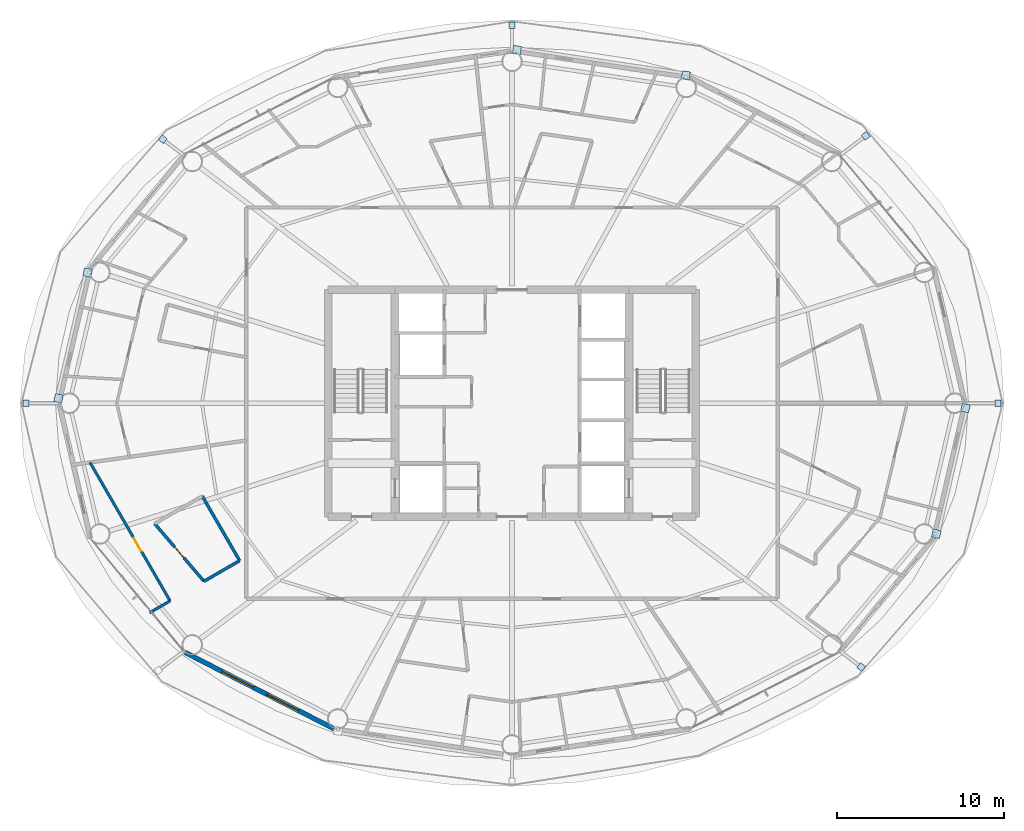
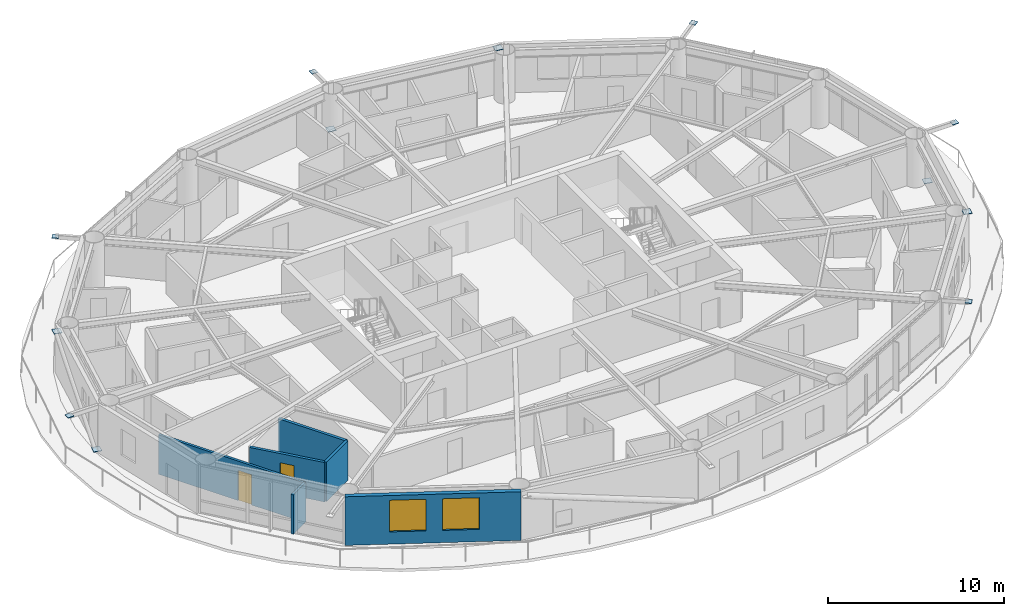
# One storey, part 19 of 28: 12 plates, 6 walls, 2 doors, 2 windows, 4 openings.
"""IFC4 building model written with IfcOpenShell, lengths in metres."""

import ifcopenshell
import ifcopenshell.guid

model = None  # the IFC model being written
_history = None  # IfcOwnerHistory: only IFC2X3 demands one
_inside = {}  # id of a spatial element -> (the spatial element, [elements in it])
_under = {}  # id of a project, library or spatial element -> (it, [spatial elements below it])
_declared = {}  # id of a project -> (the project, [libraries it declares])
_typed = {}  # id of a type object -> (the type object, [elements of that type])
_made_of = {}  # id of a material, layer set ... -> (it, [elements and type objects made of it])


def new_model(schema):
    """Start an empty IFC model of exactly this schema.

    Asked for "IFC4X3", IfcOpenShell would pick the latest addendum, in which some entities
    have other attributes; the version numbers below select the first issue.
    IFC2X3 requires an IfcOwnerHistory on every rooted entity: one is made here for all.
    """
    global model, _history
    if schema == "IFC4X3":
        model = ifcopenshell.file(schema_version=(4, 3, 0, 0))
    else:
        model = ifcopenshell.file(schema=schema)
    _inside.clear()
    _under.clear()
    _declared.clear()
    _typed.clear()
    _made_of.clear()
    _history = None
    if model.schema == "IFC2X3":
        org = make("IfcOrganization", Name="unknown")
        user = make(
            "IfcPersonAndOrganization",
            ThePerson=make("IfcPerson", FamilyName="unknown"),
            TheOrganization=org,
        )
        app = make(
            "IfcApplication",
            ApplicationDeveloper=org,
            Version="unknown",
            ApplicationFullName="unknown",
            ApplicationIdentifier="unknown",
        )
        _history = make(
            "IfcOwnerHistory",
            OwningUser=user,
            OwningApplication=app,
            ChangeAction="ADDED",
            CreationDate=0,
        )
    return model


def make(cls, **values):
    """One entity of the class cls with the attributes given. An attribute that is None is left unset."""
    return model.create_entity(
        cls, **{name: value for name, value in values.items() if value is not None}
    )


def rooted(cls, **values):
    """An entity with a GlobalId (a new one), such as an element, a storey or a relation."""
    return make(cls, GlobalId=ifcopenshell.guid.new(), OwnerHistory=_history, **values)


def si_unit(unit_type, name, prefix=None):
    """IfcSIUnit, for example si_unit("LENGTHUNIT", "METRE", prefix="MILLI")."""
    return make("IfcSIUnit", UnitType=unit_type, Prefix=prefix, Name=name)


def assignment(units):
    """IfcUnitAssignment: the units of a project."""
    return None if units is None else make("IfcUnitAssignment", Units=units)


def point(xyz):
    """IfcCartesianPoint."""
    return None if xyz is None else make("IfcCartesianPoint", Coordinates=xyz)


def direction(xyz):
    """IfcDirection."""
    return None if xyz is None else make("IfcDirection", DirectionRatios=xyz)


def frame(location, z_axis=None, x_axis=None):
    """IfcAxis2Placement3D, a coordinate frame: its origin and axes. An axis left out is left unset."""
    return make(
        "IfcAxis2Placement3D",
        Location=point(location),
        Axis=direction(z_axis),
        RefDirection=direction(x_axis),
    )


def frame_2d(location, x_axis=None):
    """IfcAxis2Placement2D, a coordinate frame in the plane: its origin and x axis."""
    return make(
        "IfcAxis2Placement2D", Location=point(location), RefDirection=direction(x_axis)
    )


def origin():
    """The frame at (0, 0, 0) with its axes left unset."""
    return frame((0.0, 0.0, 0.0))


def origin_2d():
    """The frame at (0, 0) in the plane with its x axis left unset."""
    return frame_2d((0.0, 0.0))


def place(relative_to, where):
    """IfcLocalPlacement: puts the frame where relative to a parent placement (None: the world)."""
    return make(
        "IfcLocalPlacement", PlacementRelTo=relative_to, RelativePlacement=where
    )


def context(
    kind, dimensions, precision=None, world=None, true_north=None, identifier=None
):
    """IfcGeometricRepresentationContext, for example the 3D "Model" context."""
    return make(
        "IfcGeometricRepresentationContext",
        ContextIdentifier=identifier,
        ContextType=kind,
        CoordinateSpaceDimension=dimensions,
        Precision=precision,
        WorldCoordinateSystem=world,
        TrueNorth=true_north,
    )


def subcontext(parent, identifier, kind, view, scale=None):
    """IfcGeometricRepresentationSubContext, for example "Body" below "Model"."""
    return make(
        "IfcGeometricRepresentationSubContext",
        ContextIdentifier=identifier,
        ContextType=kind,
        ParentContext=parent,
        TargetScale=scale,
        TargetView=view,
    )


def project(units=None, contexts=None):
    """IfcProject with its units and contexts."""
    return rooted(
        "IfcProject",
        Name="project",
        RepresentationContexts=contexts,
        UnitsInContext=assignment(units),
    )


def spatial(cls, under=None, at=None, **own):
    """A site, building, storey or space (cls), placed at a placement, below another one or the project."""
    s = rooted(cls, ObjectPlacement=at, **own)
    if under is not None:
        _under.setdefault(under.id(), (under, []))[1].append(s)
    return s


def profile(cls, at=None, kind="AREA", **sizes):
    """A parametric profile (cls). Its sizes go by their IFC names, for example OverallWidth=200.0."""
    return make(cls, ProfileType=kind, Position=at, **sizes)


def rectangle(**sizes):
    """IfcRectangleProfileDef."""
    return profile("IfcRectangleProfileDef", **sizes)


def extrude(swept, where, along, depth):
    """IfcExtrudedAreaSolid: the profile swept, set in the frame where, extruded along a direction by depth."""
    return make(
        "IfcExtrudedAreaSolid",
        SweptArea=swept,
        Position=where,
        ExtrudedDirection=direction(along),
        Depth=depth,
    )


def shape(context_of_items, identifier, shape_type, items):
    """IfcShapeRepresentation: the items that make up one representation, for example the "Body"."""
    return make(
        "IfcShapeRepresentation",
        ContextOfItems=context_of_items,
        RepresentationIdentifier=identifier,
        RepresentationType=shape_type,
        Items=items,
    )


def material(Name=None, Category=None):
    """IfcMaterial."""
    return make("IfcMaterial", Name=Name, Category=Category)


def layer(
    of_material, thickness, ventilated=None, Name=None, Category=None, Priority=None
):
    """IfcMaterialLayer: one layer of a wall or slab, of a material (None: an air gap)."""
    return make(
        "IfcMaterialLayer",
        Material=of_material,
        LayerThickness=thickness,
        IsVentilated=ventilated,
        Name=Name,
        Category=Category,
        Priority=Priority,
    )


def layer_set(layers, Name=None):
    """IfcMaterialLayerSet."""
    return make("IfcMaterialLayerSet", MaterialLayers=layers, LayerSetName=Name)


def made_of(thing, what):
    """Note that an element or type object is made of a material, layer set ...; save() writes the relation."""
    if what is not None:
        _made_of.setdefault(what.id(), (what, []))[1].append(thing)
    return thing


def type_object(cls, material=None, **own):
    """A type object (cls), such as IfcWallType, which elements share."""
    return made_of(rooted(cls, **own), material)


def element(
    cls,
    number,
    at=None,
    inside=None,
    cuts=None,
    type_object=None,
    material=None,
    context=None,
    identifier="Body",
    shape_type=None,
    held_by="IfcProductDefinitionShape",
    body=None,
    shapes=None,
    **own,
):
    """One element of the class cls, such as IfcWall. Its Tag is "e" and its number.

    at: its placement. inside: the storey or other place that contains it. cuts: it is an
    opening in that element (IfcRelVoidsElement). A single representation is given by context,
    identifier, shape_type and body (its items); several are given by shapes. held_by: the class
    of the entity that holds the representations. save() writes the other relations.
    """
    e = rooted(cls, Tag="e%d" % number, ObjectPlacement=at, **own)
    if body is not None:
        shapes = [shape(context, identifier, shape_type, body)]
    if shapes is not None:
        e.Representation = make(held_by, Representations=shapes)
    if inside is not None:
        _inside.setdefault(inside.id(), (inside, []))[1].append(e)
    if cuts is not None:
        rooted(
            "IfcRelVoidsElement", RelatingBuildingElement=cuts, RelatedOpeningElement=e
        )
    if type_object is not None:
        _typed.setdefault(type_object.id(), (type_object, []))[1].append(e)
    return made_of(e, material)


def fill(opening, filler):
    """IfcRelFillsElement: the door or window that sits in an opening."""
    return rooted(
        "IfcRelFillsElement",
        RelatingOpeningElement=opening,
        RelatedBuildingElement=filler,
    )


def aggregate(whole, parts):
    """IfcRelAggregates: a whole, such as a stair, and the parts it consists of."""
    return rooted("IfcRelAggregates", RelatingObject=whole, RelatedObjects=parts)


def save(model, path):
    """Write the relations noted so far, then the file.

    IfcRelAggregates (storeys below a building ...), IfcRelContainedInSpatialStructure (elements
    in a storey), IfcRelDefinesByType, IfcRelAssociatesMaterial and IfcRelDeclares: one each for
    every whole, place, type object, material and project.
    """
    for whole, parts in _under.values():
        aggregate(whole, parts)
    for where, things in _inside.values():
        rooted(
            "IfcRelContainedInSpatialStructure",
            RelatedElements=things,
            RelatingStructure=where,
        )
    for kind, things in _typed.values():
        rooted("IfcRelDefinesByType", RelatedObjects=things, RelatingType=kind)
    for what, things in _made_of.values():
        rooted("IfcRelAssociatesMaterial", RelatedObjects=things, RelatingMaterial=what)
    for by, libraries in _declared.values():
        rooted("IfcRelDeclares", RelatingContext=by, RelatedDefinitions=libraries)
    model.write(path)


model = new_model("IFC4")

# Units and contexts
model_context = context("Model", 3, precision=1e-05, world=origin(), true_north=direction((0.0, 1.0)))
body_context = subcontext(model_context, "Body", "Model", "MODEL_VIEW")
ifc_project = project(units=[si_unit("LENGTHUNIT", "METRE"), si_unit("AREAUNIT", "SQUARE_METRE"), si_unit("VOLUMEUNIT", "CUBIC_METRE"), si_unit("PLANEANGLEUNIT", "RADIAN"), si_unit("MASSUNIT", "GRAM", prefix="KILO")], contexts=[model_context])

# Site, building, storey
site_placement = place(None, origin())
site = spatial("IfcSite", under=ifc_project, at=site_placement, CompositionType="ELEMENT")
building_placement = place(site_placement, origin())
building = spatial("IfcBuilding", under=site, at=building_placement, Name="Sarneth Arch Tower", CompositionType="ELEMENT")
storey_placement = place(building_placement, frame((0.0, 0.0, 179.39990234375)))
storey = spatial("IfcBuildingStorey", under=building, at=storey_placement, Name="L45", CompositionType="ELEMENT", Elevation=179.39990234375)

# Plates
ifc_material_1 = material(Name="Steel S355", Category="steel")
ifc_layer_1 = layer(ifc_material_1, 0.035888671875)
ifc_layer_set_1 = layer_set([ifc_layer_1], Name="Steel S355")
plate_type = type_object("IfcPlateType", Name="PLT-GUSSET-30", PredefinedType="SHEET", material=ifc_layer_set_1)
for number, where, z_axis, x_axis, name in (
    (1, (77.07861328125, 42.0, 3.2021484375), (0.0, 0.0, 1.0), (1.0, 0.0, 0.0), "Steel end cap plate GP-1"),
    (2, (69.16357421875, 57.994384765625, 3.2021484375), (0.0, 0.0, 1.0), (0.797794439539, 0.602929541689, 0.0), "Steel end cap plate GP-1"),
):
    element("IfcPlate", number, at=place(storey_placement, frame(where, z_axis=z_axis, x_axis=x_axis)), inside=storey, type_object=plate_type, Name=name, PredefinedType="SHEET", context=body_context, shape_type="SweptSolid", body=[
        extrude(rectangle(XDim=0.3798828125, YDim=0.3798828125, at=origin_2d()), origin(), (0.0, 0.0, 1.0), 0.035888671875),
    ])
for number, where, z_axis, x_axis, name in (
    (3, (48.296630859375, 63.13525390625, 0.001953125), (0.0, 0.0, 1.0), (-0.98883454203, 0.149017611339, 0.0), "Steel end cap plate GP-1"),
    (4, (58.404296875, 61.612548828125, 3.03271484375), (0.0, 0.0, 1.0), (-0.98883454203, 0.149017611339, 0.0), "Steel end cap plate GP-1"),
):
    element("IfcPlate", number, at=place(storey_placement, frame(where, z_axis=z_axis, x_axis=x_axis)), inside=storey, type_object=plate_type, Name=name, PredefinedType="SHEET", context=body_context, shape_type="SweptSolid", body=[
        extrude(rectangle(XDim=0.486083984375, YDim=0.486083984375, at=origin_2d()), origin(), (0.0, 0.0, 1.0), 0.035888671875),
    ])
for number, where, z_axis, x_axis, name in (
    (5, (48.0, 64.6083984375, 3.2021484375), (0.0, 0.0, 1.0), (0.0, 1.0, 0.0), "Steel end cap plate GP-1"),
    (6, (27.1064453125, 57.790283203125, 3.2021484375), (0.0, 0.0, 1.0), (-0.797794439539, 0.602929541689, 0.0), "Steel end cap plate GP-1"),
):
    element("IfcPlate", number, at=place(storey_placement, frame(where, z_axis=z_axis, x_axis=x_axis)), inside=storey, type_object=plate_type, Name=name, PredefinedType="SHEET", context=body_context, shape_type="SweptSolid", body=[
        extrude(rectangle(XDim=0.3798828125, YDim=0.3798828125, at=origin_2d()), origin(), (0.0, 0.0, 1.0), 0.035888671875),
    ])
for number, where, z_axis, x_axis, name in (
    (7, (20.87109375, 42.292236328125, 0.001953125), (0.0, 0.0, 1.0), (-0.225291159947, -0.974291482694, 0.0), "Steel end cap plate GP-1"),
    (8, (22.609619140625, 49.81298828125, 3.03271484375), (0.0, 0.0, 1.0), (-0.225291159947, -0.974291482694, 0.0), "Steel end cap plate GP-1"),
):
    element("IfcPlate", number, at=place(storey_placement, frame(where, z_axis=z_axis, x_axis=x_axis)), inside=storey, type_object=plate_type, Name=name, PredefinedType="SHEET", context=body_context, shape_type="SweptSolid", body=[
        extrude(rectangle(XDim=0.486083984375, YDim=0.486083984375, at=origin_2d()), origin(), (0.0, 0.0, 1.0), 0.035888671875),
    ])
for number, where, z_axis, x_axis, name in (
    (9, (18.92138671875, 42.0, 3.2021484375), (0.0, 0.0, 1.0), (-1.0, 0.0, 0.0), "Steel end cap plate GP-1"),
    (10, (68.8935546875, 26.209716796875, 3.2021484375), (0.0, 0.0, 1.0), (0.797794439539, -0.602929541689, 0.0), "Steel end cap plate GP-1"),
):
    element("IfcPlate", number, at=place(storey_placement, frame(where, z_axis=z_axis, x_axis=x_axis)), inside=storey, type_object=plate_type, Name=name, PredefinedType="SHEET", context=body_context, shape_type="SweptSolid", body=[
        extrude(rectangle(XDim=0.3798828125, YDim=0.3798828125, at=origin_2d()), origin(), (0.0, 0.0, 1.0), 0.035888671875),
    ])
for number, where, z_axis, x_axis, name in (
    (11, (75.12890625, 41.707763671875, 0.001953125), (0.0, 0.0, 1.0), (0.225291159947, 0.974291482694, 0.0), "Steel end cap plate GP-1"),
    (12, (73.390380859375, 34.18701171875, 3.03271484375), (0.0, 0.0, 1.0), (0.225291159947, 0.974291482694, 0.0), "Steel end cap plate GP-1"),
):
    element("IfcPlate", number, at=place(storey_placement, frame(where, z_axis=z_axis, x_axis=x_axis)), inside=storey, type_object=plate_type, Name=name, PredefinedType="SHEET", context=body_context, shape_type="SweptSolid", body=[
        extrude(rectangle(XDim=0.486083984375, YDim=0.486083984375, at=origin_2d()), origin(), (0.0, 0.0, 1.0), 0.035888671875),
    ])

# Wall, openings, windows
ifc_material_2 = material(Name="Extruded terracotta rainscreen on Concrete C40/50 backing", Category="masonry")
ifc_layer_2 = layer(ifc_material_2, 0.280029296875)
ifc_layer_set_2 = layer_set([ifc_layer_2], Name="Extruded terracotta rainscreen on Concrete C40/50 backing")
wall_type_1 = type_object("IfcWallType", Name="WALL-EXT-TERRA-280", PredefinedType="SOLIDWALL", material=ifc_layer_set_2)
wall_1_placement = place(storey_placement, frame((28.423828125, 27.09423828125, 0.0), z_axis=(0.0, 0.0, 1.0), x_axis=(0.889872523182, -0.456209263919, 0.0)))
wall_1 = element("IfcWall", 13, at=wall_1_placement, inside=storey, type_object=wall_type_1, Name="L45 Terracotta perimeter wall 11", PredefinedType="SOLIDWALL", context=body_context, shape_type="SweptSolid", body=[
    extrude(rectangle(XDim=10.016357421875, YDim=0.280029296875, at=frame_2d((5.00830078125, 0.0))), origin(), (0.0, 0.0, 1.0), 3.380126953125),
])
opening_1_placement = place(wall_1_placement, frame((2.515380859375, 0.0, 0.85009765625)))
opening_1 = element("IfcOpeningElement", 14, at=opening_1_placement, cuts=wall_1, Name="Opening W-03", PredefinedType="OPENING", context=body_context, shape_type="SweptSolid", body=[
    extrude(rectangle(XDim=2.10009765625, YDim=2.199951171875, at=frame_2d((1.050048828125, 1.10009765625))), frame((0.0, 0.14990234375, 0.0), z_axis=(0.0, -1.0, 0.0), x_axis=(1.0, 0.0, 0.0)), (0.0, 0.0, 1.0), 0.300048828125),
])
opening_2_placement = place(wall_1_placement, frame((5.540283203125, 0.0, 0.85009765625)))
opening_2 = element("IfcOpeningElement", 15, at=opening_2_placement, cuts=wall_1, Name="Opening W-03", PredefinedType="OPENING", context=body_context, shape_type="SweptSolid", body=[
    extrude(rectangle(XDim=2.10009765625, YDim=2.199951171875, at=frame_2d((1.050048828125, 1.10009765625))), frame((0.0, 0.14990234375, 0.0), z_axis=(0.0, -1.0, 0.0), x_axis=(1.0, 0.0, 0.0)), (0.0, 0.0, 1.0), 0.300048828125),
])
ifc_material_3 = material(Name="Thermally broken Aluminium 6063-T6 and low-e laminated IGU", Category="aluminium")
window_type = type_object("IfcWindowType", Name="WIN-TWR-2100x2200", PartitioningType="DOUBLE_PANEL_VERTICAL", PredefinedType="WINDOW", material=ifc_material_3)
window_1_placement = place(opening_1_placement, origin())
window_1 = element("IfcWindow", 16, at=window_1_placement, inside=storey, type_object=window_type, Name="L45 Exterior window 11A", OverallHeight=2.199951171875, OverallWidth=2.10009765625, PartitioningType="SINGLE_PANEL", PredefinedType="WINDOW", context=body_context, shape_type="SweptSolid", body=[
    extrude(rectangle(XDim=2.10009765625, YDim=2.199951171875, at=frame_2d((1.050048828125, 1.10009765625))), frame((0.0, 0.030029296875, 0.0), z_axis=(0.0, -1.0, 0.0), x_axis=(1.0, 0.0, 0.0)), (0.0, 0.0, 1.0), 0.06005859375),
])
fill(opening_1, window_1)
window_2_placement = place(opening_2_placement, origin())
window_2 = element("IfcWindow", 17, at=window_2_placement, inside=storey, type_object=window_type, Name="L45 Exterior window 11B", OverallHeight=2.199951171875, OverallWidth=2.10009765625, PartitioningType="SINGLE_PANEL", PredefinedType="WINDOW", context=body_context, shape_type="SweptSolid", body=[
    extrude(rectangle(XDim=2.10009765625, YDim=2.199951171875, at=frame_2d((1.050048828125, 1.10009765625))), frame((0.0, 0.030029296875, 0.0), z_axis=(0.0, -1.0, 0.0), x_axis=(1.0, 0.0, 0.0)), (0.0, 0.0, 1.0), 0.06005859375),
])
fill(opening_2, window_2)

# Wall, opening, door
ifc_material_4 = material(Name="Kitchen wet service chase wall", Category="gypsum")
ifc_layer_3 = layer(ifc_material_4, 0.159912109375)
ifc_layer_set_3 = layer_set([ifc_layer_3], Name="Kitchen wet service chase wall")
wall_type_2 = type_object("IfcWallType", Name="WALL-PLUMB-160", PredefinedType="PLUMBINGWALL", material=ifc_layer_set_3)
wall_2_placement = place(storey_placement, frame((22.75341796875, 38.451904296875, 0.0), z_axis=(0.0, 0.0, 1.0), x_axis=(0.500584533727, -0.865687659952, 0.0)))
wall_2 = element("IfcWall", 18, at=wall_2_placement, inside=storey, type_object=wall_type_2, Name="L45 Interior partition W-L45-TP-081", PredefinedType="PLUMBINGWALL", context=body_context, shape_type="SweptSolid", body=[
    extrude(rectangle(XDim=9.56689453125, YDim=0.159912109375, at=frame_2d((4.783447265625, 0.0))), origin(), (0.0, 0.0, 1.0), 2.739990234375),
])
opening_3_placement = place(wall_2_placement, frame((5.2333984375, 0.0, 0.0)))
opening_3 = element("IfcOpeningElement", 19, at=opening_3_placement, cuts=wall_2, Name="Opening ID-01", PredefinedType="OPENING", context=body_context, shape_type="SweptSolid", body=[
    extrude(rectangle(XDim=0.89990234375, YDim=2.10009765625, at=frame_2d((0.449951171875, 1.050048828125))), frame((0.0, 0.08984375, 0.0), z_axis=(0.0, -1.0, 0.0), x_axis=(1.0, 0.0, 0.0)), (0.0, 0.0, 1.0), 0.179931640625),
])
ifc_material_5 = material(Name="Engineered hardwood flush door", Category="wood")
door_type_1 = type_object("IfcDoorType", Name="DR-INT-900", OperationType="SINGLE_SWING_LEFT", PredefinedType="DOOR", material=ifc_material_5)
door_1_placement = place(opening_3_placement, origin())
door_1 = element("IfcDoor", 20, at=door_1_placement, inside=storey, type_object=door_type_1, Name="L45 Interior door DR-L45-U5-KIT", OperationType="SINGLE_SWING_LEFT", OverallHeight=2.10009765625, OverallWidth=0.89990234375, PredefinedType="DOOR", context=body_context, shape_type="SweptSolid", body=[
    extrude(rectangle(XDim=0.89990234375, YDim=2.10009765625, at=frame_2d((0.449951171875, 1.050048828125))), frame((0.0, 0.02490234375, 0.0), z_axis=(0.0, -1.0, 0.0), x_axis=(1.0, 0.0, 0.0)), (0.0, 0.0, 1.0), 0.050048828125),
])
fill(opening_3, door_1)

# Wall
wall_3_placement = place(storey_placement, frame((27.54248046875, 30.169921875, 0.0), z_axis=(0.0, 0.0, 1.0), x_axis=(-0.865626475351, -0.500690328617, 0.0)))
element("IfcWall", 21, at=wall_3_placement, inside=storey, type_object=wall_type_2, Name="L45 Interior partition W-L45-TP-082", PredefinedType="PLUMBINGWALL", context=body_context, shape_type="SweptSolid", body=[
    extrude(rectangle(XDim=1.4189453125, YDim=0.159912109375, at=frame_2d((0.70947265625, 0.0))), origin(), (0.0, 0.0, 1.0), 2.739990234375),
])

# Wall, opening, door
ifc_material_6 = material(Name="Moisture-resistant plumbing chase wall", Category="gypsum")
ifc_layer_4 = layer(ifc_material_6, 0.179931640625)
ifc_layer_set_4 = layer_set([ifc_layer_4], Name="Moisture-resistant plumbing chase wall")
wall_type_3 = type_object("IfcWallType", Name="WALL-PLUMB-180", PredefinedType="PLUMBINGWALL", material=ifc_layer_set_4)
wall_4_placement = place(storey_placement, frame((26.619873046875, 34.790283203125, 0.0), z_axis=(0.0, 0.0, 1.0), x_axis=(0.650507788654, -0.759499583213, 0.0)))
wall_4 = element("IfcWall", 22, at=wall_4_placement, inside=storey, type_object=wall_type_3, Name="L45 Interior partition W-L45-TP-080", PredefinedType="PLUMBINGWALL", context=body_context, shape_type="SweptSolid", body=[
    extrude(rectangle(XDim=4.538330078125, YDim=0.179931640625, at=frame_2d((2.26904296875, 0.0))), origin(), (0.0, 0.0, 1.0), 2.739990234375),
])
opening_4_placement = place(wall_4_placement, frame((1.84423828125, 0.0, 0.0)))
opening_4 = element("IfcOpeningElement", 23, at=opening_4_placement, cuts=wall_4, Name="Opening ID-02", PredefinedType="OPENING", context=body_context, shape_type="SweptSolid", body=[
    extrude(rectangle(XDim=0.85009765625, YDim=2.10009765625, at=frame_2d((0.425048828125, 1.050048828125))), frame((0.0, 0.099853515625, 0.0), z_axis=(0.0, -1.0, 0.0), x_axis=(1.0, 0.0, 0.0)), (0.0, 0.0, 1.0), 0.199951171875),
])
ifc_material_7 = material(Name="Moisture-resistant bathroom timber door", Category="wood")
door_type_2 = type_object("IfcDoorType", Name="DR-INT-850", OperationType="SINGLE_SWING_RIGHT", PredefinedType="DOOR", material=ifc_material_7)
door_2_placement = place(opening_4_placement, origin())
door_2 = element("IfcDoor", 24, at=door_2_placement, inside=storey, type_object=door_type_2, Name="L45 Interior door DR-L45-U5-BATH", OperationType="SINGLE_SWING_LEFT", OverallHeight=2.10009765625, OverallWidth=0.85009765625, PredefinedType="DOOR", context=body_context, shape_type="SweptSolid", body=[
    extrude(rectangle(XDim=0.85009765625, YDim=2.10009765625, at=frame_2d((0.425048828125, 1.050048828125))), frame((0.0, 0.02490234375, 0.0), z_axis=(0.0, -1.0, 0.0), x_axis=(1.0, 0.0, 0.0)), (0.0, 0.0, 1.0), 0.050048828125),
])
fill(opening_4, door_2)

# Walls
wall_5_placement = place(storey_placement, frame((31.703125, 32.57568359375, 0.0), z_axis=(0.0, 0.0, 1.0), x_axis=(-0.500604830324, 0.865675923112, 0.0)))
element("IfcWall", 25, at=wall_5_placement, inside=storey, type_object=wall_type_3, Name="L45 Interior partition W-L45-TP-078", PredefinedType="PLUMBINGWALL", context=body_context, shape_type="SweptSolid", body=[
    extrude(rectangle(XDim=4.4619140625, YDim=0.179931640625, at=frame_2d((2.23095703125, 0.0))), origin(), (0.0, 0.0, 1.0), 2.739990234375),
])
wall_6_placement = place(storey_placement, frame((29.572021484375, 31.343505859375, 0.0), z_axis=(0.0, 0.0, 1.0), x_axis=(0.865711329059, 0.500543599239, 0.0)))
element("IfcWall", 26, at=wall_6_placement, inside=storey, type_object=wall_type_3, Name="L45 Interior partition W-L45-TP-077", PredefinedType="PLUMBINGWALL", context=body_context, shape_type="SweptSolid", body=[
    extrude(rectangle(XDim=2.461669921875, YDim=0.179931640625, at=frame_2d((1.23095703125, 0.0))), origin(), (0.0, 0.0, 1.0), 2.739990234375),
])

save(model, "model.ifc")
